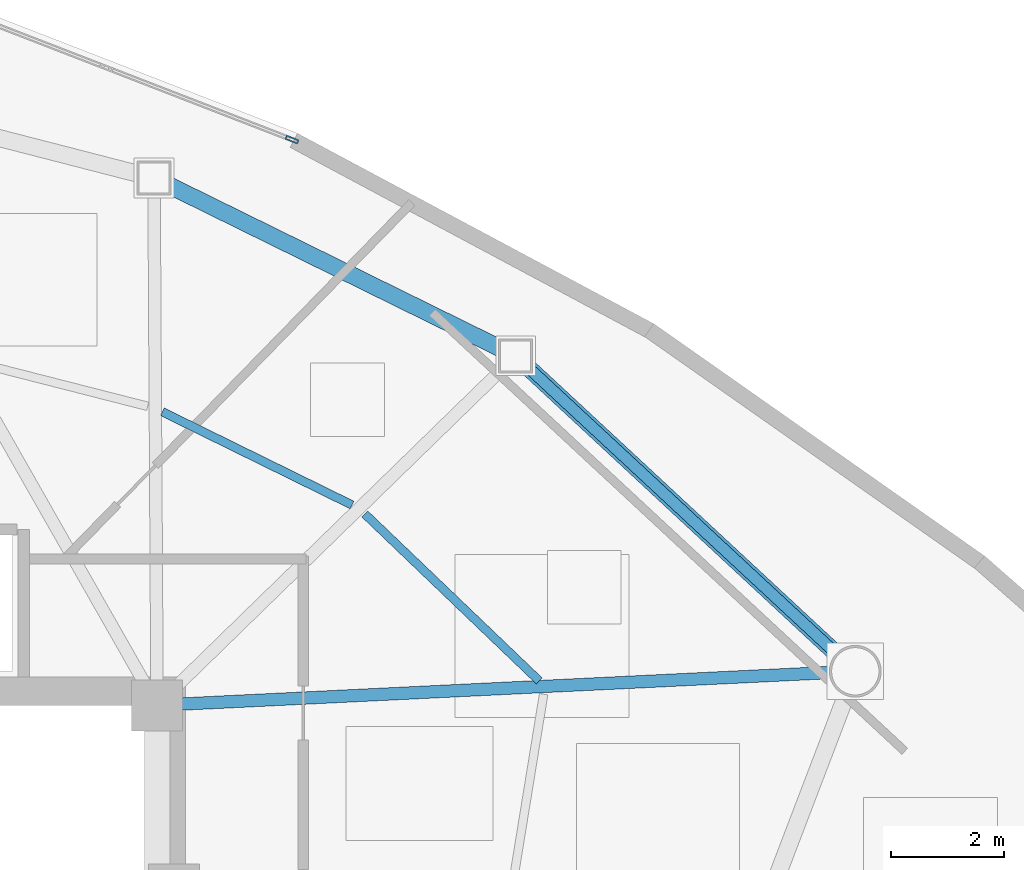
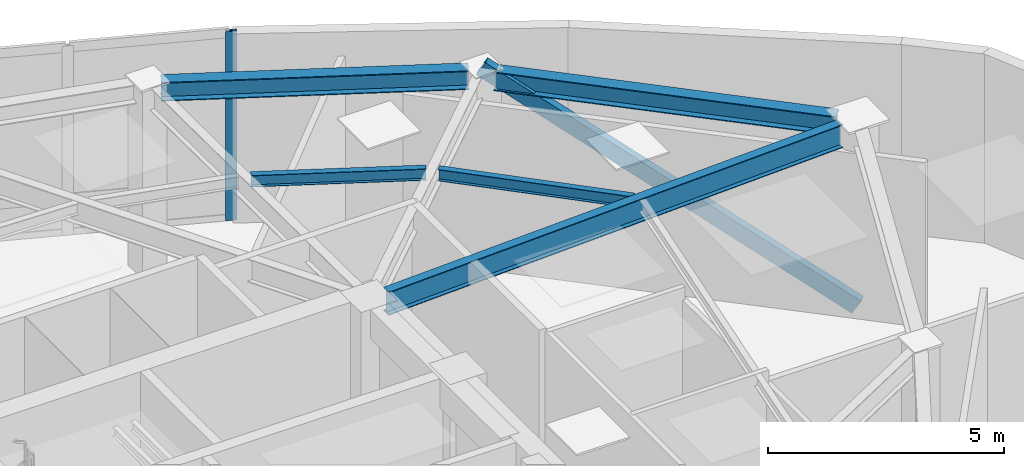
# One storey, part 6 of 12: 5 beams, 2 members, 1 element without a shape of its own.
"""IFC4 building model written with IfcOpenShell, lengths in metres."""

from ifc_helpers import new_model, si_unit, direction, frame, origin, origin_2d, place, context, subcontext, project, spatial, hollow_rectangle, i_section, extrude, source, transform, mapped, material, layer, layer_set, material_profile, profile_set, type_object, type_shapes, element, aggregate, save


model = new_model("IFC4")

# Units and contexts
model_context = context("Model", 3, precision=1e-05, world=origin(), true_north=direction((0.0, 1.0)))
body_context = subcontext(model_context, "Body", "Model", "MODEL_VIEW")
ifc_project = project(units=[si_unit("LENGTHUNIT", "METRE"), si_unit("AREAUNIT", "SQUARE_METRE"), si_unit("VOLUMEUNIT", "CUBIC_METRE"), si_unit("PLANEANGLEUNIT", "RADIAN"), si_unit("MASSUNIT", "GRAM", prefix="KILO")], contexts=[model_context])

# Site, building, storey
site_placement = place(None, origin())
site = spatial("IfcSite", under=ifc_project, at=site_placement, CompositionType="ELEMENT")
building_placement = place(site_placement, origin())
building = spatial("IfcBuilding", under=site, at=building_placement, Name="Tavelor Broadcast Tower", CompositionType="ELEMENT")
storey_placement = place(building_placement, frame((0.0, 0.0, 216.949951171875)))
storey = spatial("IfcBuildingStorey", under=building, at=storey_placement, Name="L51", CompositionType="ELEMENT", Elevation=216.949951171875)

# Beams
ifc_material_1 = material(Name="Steel S355", Category="steel")
ifc_material_profile_1 = material_profile(ifc_material_1, i_section(OverallWidth=0.14990234375, OverallDepth=0.300048828125, WebThickness=0.007080078125, FlangeThickness=0.0107421875, at=origin_2d()), Name="IPE 300")
ifc_profile_set_1 = profile_set([ifc_material_profile_1], Name="Steel S355")
beam_type_1 = type_object("IfcBeamType", Name="Composite Floor Joist T5 IPE 300", PredefinedType="JOIST", material=ifc_profile_set_1)
beam_1_placement = place(storey_placement, frame((63.3427734375, 51.629150390625, 4.75), z_axis=(-0.722407874214, 0.691467181632, 0.0), x_axis=(-0.691467181632, -0.722407874214, 0.0)))
element("IfcBeam", 1, at=beam_1_placement, inside=storey, type_object=beam_type_1, Name="L51 Secondary Composite Floor Joist 13", PredefinedType="JOIST", context=body_context, shape_type="SweptSolid", body=[
    extrude(i_section(OverallWidth=0.14990234375, OverallDepth=0.300048828125, WebThickness=0.007080078125, FlangeThickness=0.0107421875, at=origin_2d()), origin(), (0.0, 0.0, 1.0), 4.260986328125),
])
beam_2_placement = place(storey_placement, frame((60.038818359375, 54.7333984375, 4.75), z_axis=(-0.897394619692, 0.441228848272, 0.0), x_axis=(-0.441228848272, -0.897394619692, 0.0)))
element("IfcBeam", 2, at=beam_2_placement, inside=storey, type_object=beam_type_1, Name="L51 Secondary Composite Floor Joist 14", PredefinedType="JOIST", context=body_context, shape_type="SweptSolid", body=[
    extrude(i_section(OverallWidth=0.14990234375, OverallDepth=0.300048828125, WebThickness=0.007080078125, FlangeThickness=0.0107421875, at=origin_2d()), origin(), (0.0, 0.0, 1.0), 3.7265625),
])
ifc_material_profile_2 = material_profile(ifc_material_1, i_section(OverallWidth=0.300048828125, OverallDepth=0.489990234375, WebThickness=0.011962890625, FlangeThickness=0.02294921875, at=origin_2d()), Name="HEA 500")
ifc_profile_set_2 = profile_set([ifc_material_profile_2], Name="Steel S355")
beam_type_2 = type_object("IfcBeamType", Name="Perimeter Spandrel Beam T5 HEA 500", PredefinedType="SPANDREL", material=ifc_profile_set_2)
beam_3_placement = place(storey_placement, frame((68.59814453125, 52.09765625, 4.655029296875), z_axis=(-0.732770151307, 0.680476234231, 0.0), x_axis=(-0.680476234231, -0.732770151307, 0.0)))
element("IfcBeam", 3, at=beam_3_placement, inside=storey, type_object=beam_type_2, Name="L51 Framed-Tube Ring Spandrel 13", PredefinedType="SPANDREL", context=body_context, shape_type="SweptSolid", body=[
    extrude(i_section(OverallWidth=0.300048828125, OverallDepth=0.489990234375, WebThickness=0.011962890625, FlangeThickness=0.02294921875, at=origin_2d()), origin(), (0.0, 0.0, 1.0), 7.451171875),
])
beam_4_placement = place(storey_placement, frame((62.668701171875, 57.4912109375, 4.655029296875), z_axis=(-0.897262651787, 0.441497150284, 0.0), x_axis=(-0.441497150284, -0.897262651787, 0.0)))
element("IfcBeam", 4, at=beam_4_placement, inside=storey, type_object=beam_type_2, Name="L51 Framed-Tube Ring Spandrel 14", PredefinedType="SPANDREL", context=body_context, shape_type="SweptSolid", body=[
    extrude(i_section(OverallWidth=0.300048828125, OverallDepth=0.489990234375, WebThickness=0.011962890625, FlangeThickness=0.02294921875, at=origin_2d()), origin(), (0.0, 0.0, 1.0), 6.536376953125),
])

# Member
ifc_material_profile_3 = material_profile(ifc_material_1, hollow_rectangle(XDim=0.199951171875, YDim=0.39990234375, WallThickness=0.01611328125, at=origin_2d()), Name="RHS 400x200x16")
ifc_profile_set_3 = profile_set([ifc_material_profile_3], Name="Steel S355")
member_type_1 = type_object("IfcMemberType", Name="Perimeter Tube Brace T5 RHS 400x200x16", PredefinedType="BRACE", material=ifc_profile_set_3)
member_1_placement = place(storey_placement, frame((68.919677734375, 51.799072265625, 0.0), z_axis=(-0.628560143979, 0.583719695329, 0.513987804025), x_axis=(-0.680486595916, -0.732760528944, 0.0)))
element("IfcMember", 5, at=member_1_placement, inside=storey, type_object=member_type_1, Name="L51 Corner Tube Diagonal Brace 3", PredefinedType="BRACE", context=body_context, shape_type="SweptSolid", body=[
    extrude(hollow_rectangle(XDim=0.199951171875, YDim=0.39990234375, WallThickness=0.01611328125, at=origin_2d()), origin(), (0.0, 0.0, 1.0), 9.53369140625),
])

# Beam
ifc_material_profile_4 = material_profile(ifc_material_1, i_section(OverallWidth=0.219970703125, OverallDepth=0.60009765625, WebThickness=0.011962890625, FlangeThickness=0.01904296875, at=origin_2d()), Name="IPE 600")
ifc_profile_set_4 = profile_set([ifc_material_profile_4], Name="Steel S355")
beam_type_3 = type_object("IfcBeamType", Name="Radial Floor Girder T5 IPE 600", PredefinedType="BEAM", material=ifc_profile_set_4)
beam_5_placement = place(storey_placement, frame((57.031494140625, 51.220947265625, 4.60009765625), z_axis=(0.998819342989, 0.048579008537, 0.0), x_axis=(-0.048579008537, 0.998819342989, 0.0)))
element("IfcBeam", 6, at=beam_5_placement, inside=storey, type_object=beam_type_3, Name="L51 Radial Primary Floor Girder 13", PredefinedType="BEAM", context=body_context, shape_type="SweptSolid", body=[
    extrude(i_section(OverallWidth=0.219970703125, OverallDepth=0.60009765625, WebThickness=0.011962890625, FlangeThickness=0.01904296875, at=origin_2d()), origin(), (0.0, 0.0, 1.0), 11.46337890625),
])

# Curtain wall, member
ifc_material_2 = material(Name="Architectural Anodized Aluminium", Category="aluminium")
ifc_layer = layer(ifc_material_2, 0.239990234375)
ifc_layer_set = layer_set([ifc_layer], Name="Architectural Anodized Aluminium")
curtain_wall_type = type_object("IfcCurtainWallType", Name="Sky Lobby Feature Structural Curtain Wall CW05", PredefinedType="NOTDEFINED", material=ifc_layer_set)
curtain_wall_placement = place(storey_placement, origin())
curtain_wall = element("IfcCurtainWall", 7, at=curtain_wall_placement, inside=storey, type_object=curtain_wall_type, Name="L51 Curtain Wall CW05 Run 549", PredefinedType="NOTDEFINED")
ifc_material_profile_5 = material_profile(ifc_material_2, hollow_rectangle(XDim=0.080078125, YDim=0.239990234375, WallThickness=0.02197265625, at=origin_2d()), Name="RHS 80x240x22")
ifc_profile_set_5 = profile_set([ifc_material_profile_5], Name="Architectural Anodized Aluminium")
member_type_2 = type_object("IfcMemberType", Name="CW05 Extruded Aluminium Mullion 80x240", PredefinedType="MULLION", material=ifc_profile_set_5)
shared_shape = source(origin(), body_context, "Body", "SweptSolid", [
    extrude(hollow_rectangle(XDim=0.080078125, YDim=0.239990234375, WallThickness=0.02197265625, at=origin_2d()), origin(), (0.0, 0.0, 1.0), 4.900146484375),
])
type_shapes(member_type_2, [shared_shape])
member_2_placement = place(storey_placement, frame((58.980712890625, 61.18017578125, 0.0), z_axis=(0.0, 0.0, 1.0), x_axis=(-0.361225907102, -0.932478334353, 0.0)))
member_2 = element("IfcMember", 8, at=member_2_placement, type_object=member_type_2, Name="CW05 mullion 1", PredefinedType="MULLION", context=body_context, shape_type="MappedRepresentation", body=[
    mapped(shared_shape, transform((0.0, 0.0, 0.0), scale=1.0)),
])
aggregate(curtain_wall, [member_2])

save(model, "model.ifc")
